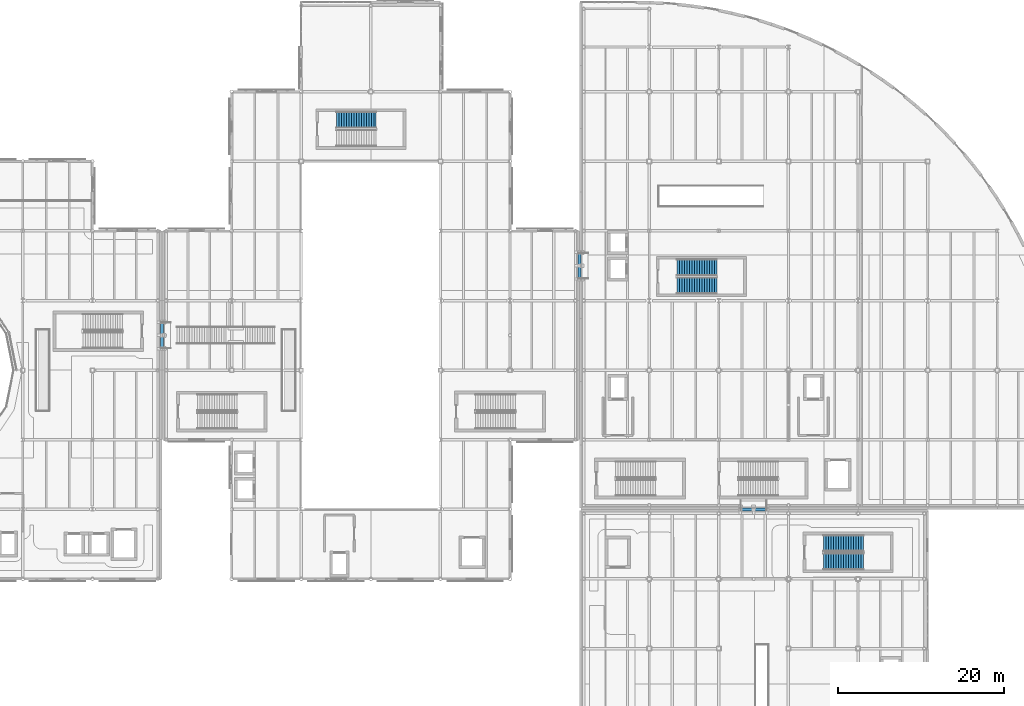
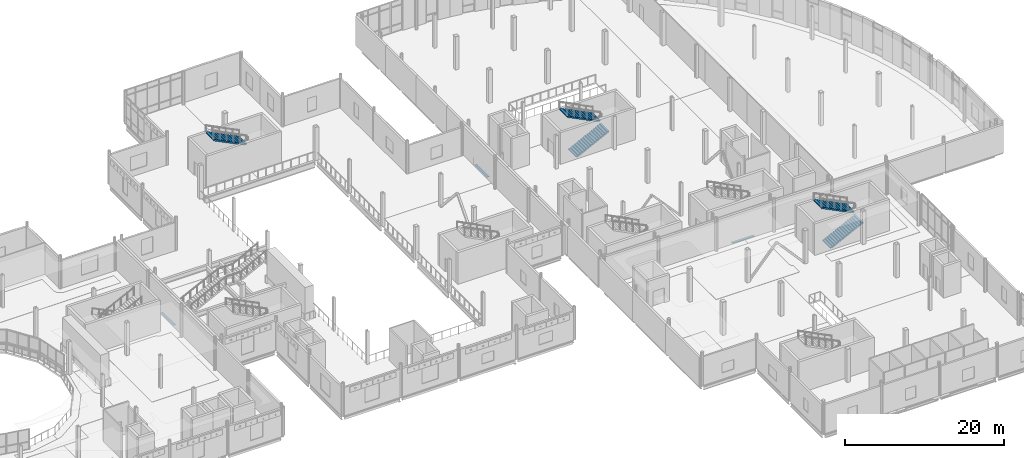
# One storey, part 75 of 104: 5 stair flights, 3 discrete accessories, 3 elements without a shape of their own.
"""IFC4 building model written with IfcOpenShell, lengths in metres."""

from ifc_helpers import new_model, si_unit, direction, frame, origin, origin_2d, place, context, subcontext, project, spatial, polyline, rectangle, outline, extrude, material, type_object, element, aggregate, save


model = new_model("IFC4")

# Units and contexts
model_context = context("Model", 3, precision=1e-05, world=origin(), true_north=direction((0.0, 1.0)))
body_context = subcontext(model_context, "Body", "Model", "MODEL_VIEW")
ifc_project = project(units=[si_unit("LENGTHUNIT", "METRE"), si_unit("AREAUNIT", "SQUARE_METRE"), si_unit("VOLUMEUNIT", "CUBIC_METRE"), si_unit("PLANEANGLEUNIT", "RADIAN"), si_unit("MASSUNIT", "GRAM", prefix="KILO"), si_unit("THERMODYNAMICTEMPERATUREUNIT", "KELVIN")], contexts=[model_context])

# Site, building, storey
site_placement = place(None, origin())
site = spatial("IfcSite", under=ifc_project, at=site_placement, CompositionType="ELEMENT")
building_placement = place(site_placement, origin())
building = spatial("IfcBuilding", under=site, at=building_placement, Name="Lustrewick Department Store", CompositionType="ELEMENT")
storey_placement = place(building_placement, frame((0.0, 0.0, 11.39990234375)))
storey = spatial("IfcBuildingStorey", under=building, at=storey_placement, Name="L03", CompositionType="ELEMENT", Elevation=11.39990234375)

# Stair, stair flight
ifc_material_1 = material(Name="Concrete C30", Category="concrete")
stair_type = type_object("IfcStairType", Name="ST-H51", PredefinedType="HALF_TURN_STAIR", material=ifc_material_1)
stair_1_placement = place(storey_placement, origin())
stair_1 = element("IfcStair", 1, at=stair_1_placement, inside=storey, type_object=stair_type, Name="L03 Smoke-Proof Exit Stair ST06", PredefinedType="HALF_TURN_STAIR")
stair_flight_type = type_object("IfcStairFlightType", Name="SF-H51", PredefinedType="STRAIGHT", material=ifc_material_1)
stair_flight_1_placement = place(storey_placement, frame((84.64990234375, 97.39990234375, 2.550048828125), z_axis=(0.0, 0.0, 1.0), x_axis=(-1.0, 0.0, 0.0)))
stair_flight_1 = element("IfcStairFlight", 2, at=stair_flight_1_placement, type_object=stair_flight_type, Name="ST-H51 flight 2", NumberOfRisers=17, NumberOfTreads=16, PredefinedType="STRAIGHT", RiserHeight=0.15, TreadLength=0.3, context=body_context, shape_type="SweptSolid", body=[
    extrude(outline(polyline([(0.0, 0.0), (0.0, 0.14990234375), (0.300048828125, 0.14990234375), (0.300048828125, 0.300048828125), (0.60009765625, 0.300048828125), (0.60009765625, 0.449951171875), (0.89990234375, 0.449951171875), (0.89990234375, 0.60009765625), (1.199951171875, 0.60009765625), (1.199951171875, 0.75), (1.5, 0.75), (1.5, 0.89990234375), (1.800048828125, 0.89990234375), (1.800048828125, 1.050048828125), (2.10009765625, 1.050048828125), (2.10009765625, 1.199951171875), (2.39990234375, 1.199951171875), (2.39990234375, 1.35009765625), (2.699951171875, 1.35009765625), (2.699951171875, 1.5), (3.0, 1.5), (3.0, 1.64990234375), (3.300048828125, 1.64990234375), (3.300048828125, 1.800048828125), (3.60009765625, 1.800048828125), (3.60009765625, 1.949951171875), (3.89990234375, 1.949951171875), (3.89990234375, 2.10009765625), (4.199951171875, 2.10009765625), (4.199951171875, 2.25), (4.5, 2.25), (4.5, 2.39990234375), (4.800048828125, 2.39990234375), (4.800048828125, 2.550048828125), (4.800048828125, 2.22119140625), (0.357666015625, 0.0), (0.0, 0.0)])), frame((0.0, 1.0, 0.0), z_axis=(0.0, -1.0, 0.0), x_axis=(1.0, 0.0, 0.0)), (0.0, 0.0, 1.0), 2.0),
])
aggregate(stair_1, [stair_flight_1])

# Stair, stair flights
stair_2_placement = place(storey_placement, origin())
stair_2 = element("IfcStair", 3, at=stair_2_placement, inside=storey, type_object=stair_type, Name="L03 Smoke-Proof Exit Stair ST08", PredefinedType="HALF_TURN_STAIR")
stair_flight_2_placement = place(storey_placement, frame((138.64990234375, 44.10009765625, 0.0), z_axis=(0.0, 0.0, 1.0), x_axis=(1.0, 0.0, 0.0)))
stair_flight_2 = element("IfcStairFlight", 4, at=stair_flight_2_placement, type_object=stair_flight_type, Name="ST-H51 flight 1", NumberOfRisers=17, NumberOfTreads=16, PredefinedType="STRAIGHT", RiserHeight=0.15, TreadLength=0.3, context=body_context, shape_type="SweptSolid", body=[
    extrude(outline(polyline([(0.0, 0.0), (0.0, 0.14990234375), (0.300048828125, 0.14990234375), (0.300048828125, 0.300048828125), (0.60009765625, 0.300048828125), (0.60009765625, 0.449951171875), (0.89990234375, 0.449951171875), (0.89990234375, 0.60009765625), (1.199951171875, 0.60009765625), (1.199951171875, 0.75), (1.5, 0.75), (1.5, 0.89990234375), (1.800048828125, 0.89990234375), (1.800048828125, 1.050048828125), (2.10009765625, 1.050048828125), (2.10009765625, 1.199951171875), (2.39990234375, 1.199951171875), (2.39990234375, 1.35009765625), (2.699951171875, 1.35009765625), (2.699951171875, 1.5), (3.0, 1.5), (3.0, 1.64990234375), (3.300048828125, 1.64990234375), (3.300048828125, 1.800048828125), (3.60009765625, 1.800048828125), (3.60009765625, 1.949951171875), (3.89990234375, 1.949951171875), (3.89990234375, 2.10009765625), (4.199951171875, 2.10009765625), (4.199951171875, 2.25), (4.5, 2.25), (4.5, 2.39990234375), (4.800048828125, 2.39990234375), (4.800048828125, 2.550048828125), (4.800048828125, 2.22119140625), (0.357666015625, 0.0), (0.0, 0.0)])), frame((0.0, 1.0, 0.0), z_axis=(0.0, -1.0, 0.0), x_axis=(1.0, 0.0, 0.0)), (0.0, 0.0, 1.0), 2.0),
])
stair_flight_3_placement = place(storey_placement, frame((143.449951171875, 46.300048828125, 2.550048828125), z_axis=(0.0, 0.0, 1.0), x_axis=(-1.0, 0.0, 0.0)))
stair_flight_3 = element("IfcStairFlight", 5, at=stair_flight_3_placement, type_object=stair_flight_type, Name="ST-H51 flight 2", NumberOfRisers=17, NumberOfTreads=16, PredefinedType="STRAIGHT", RiserHeight=0.15, TreadLength=0.3, context=body_context, shape_type="SweptSolid", body=[
    extrude(outline(polyline([(0.0, 0.0), (0.0, 0.14990234375), (0.300048828125, 0.14990234375), (0.300048828125, 0.300048828125), (0.60009765625, 0.300048828125), (0.60009765625, 0.449951171875), (0.89990234375, 0.449951171875), (0.89990234375, 0.60009765625), (1.199951171875, 0.60009765625), (1.199951171875, 0.75), (1.5, 0.75), (1.5, 0.89990234375), (1.800048828125, 0.89990234375), (1.800048828125, 1.050048828125), (2.10009765625, 1.050048828125), (2.10009765625, 1.199951171875), (2.39990234375, 1.199951171875), (2.39990234375, 1.35009765625), (2.699951171875, 1.35009765625), (2.699951171875, 1.5), (3.0, 1.5), (3.0, 1.64990234375), (3.300048828125, 1.64990234375), (3.300048828125, 1.800048828125), (3.60009765625, 1.800048828125), (3.60009765625, 1.949951171875), (3.89990234375, 1.949951171875), (3.89990234375, 2.10009765625), (4.199951171875, 2.10009765625), (4.199951171875, 2.25), (4.5, 2.25), (4.5, 2.39990234375), (4.800048828125, 2.39990234375), (4.800048828125, 2.550048828125), (4.800048828125, 2.22119140625), (0.357666015625, 0.0), (0.0, 0.0)])), frame((0.0, 1.0, 0.0), z_axis=(0.0, -1.0, 0.0), x_axis=(1.0, 0.0, 0.0)), (0.0, 0.0, 1.0), 2.0),
])
aggregate(stair_2, [stair_flight_2, stair_flight_3])

stair_3_placement = place(storey_placement, origin())
stair_3 = element("IfcStair", 6, at=stair_3_placement, inside=storey, type_object=stair_type, Name="L03 Smoke-Proof Exit Stair ST10", PredefinedType="HALF_TURN_STAIR")
stair_flight_4_placement = place(storey_placement, frame((120.949951171875, 77.39990234375, 0.0), z_axis=(0.0, 0.0, 1.0), x_axis=(1.0, 0.0, 0.0)))
stair_flight_4 = element("IfcStairFlight", 7, at=stair_flight_4_placement, type_object=stair_flight_type, Name="ST-H51 flight 1", NumberOfRisers=17, NumberOfTreads=16, PredefinedType="STRAIGHT", RiserHeight=0.15, TreadLength=0.3, context=body_context, shape_type="SweptSolid", body=[
    extrude(outline(polyline([(0.0, 0.0), (0.0, 0.14990234375), (0.300048828125, 0.14990234375), (0.300048828125, 0.300048828125), (0.60009765625, 0.300048828125), (0.60009765625, 0.449951171875), (0.89990234375, 0.449951171875), (0.89990234375, 0.60009765625), (1.199951171875, 0.60009765625), (1.199951171875, 0.75), (1.5, 0.75), (1.5, 0.89990234375), (1.800048828125, 0.89990234375), (1.800048828125, 1.050048828125), (2.10009765625, 1.050048828125), (2.10009765625, 1.199951171875), (2.39990234375, 1.199951171875), (2.39990234375, 1.35009765625), (2.699951171875, 1.35009765625), (2.699951171875, 1.5), (3.0, 1.5), (3.0, 1.64990234375), (3.300048828125, 1.64990234375), (3.300048828125, 1.800048828125), (3.60009765625, 1.800048828125), (3.60009765625, 1.949951171875), (3.89990234375, 1.949951171875), (3.89990234375, 2.10009765625), (4.199951171875, 2.10009765625), (4.199951171875, 2.25), (4.5, 2.25), (4.5, 2.39990234375), (4.800048828125, 2.39990234375), (4.800048828125, 2.550048828125), (4.800048828125, 2.22119140625), (0.357666015625, 0.0), (0.0, 0.0)])), frame((0.0, 1.0, 0.0), z_axis=(0.0, -1.0, 0.0), x_axis=(1.0, 0.0, 0.0)), (0.0, 0.0, 1.0), 2.0),
])
stair_flight_5_placement = place(storey_placement, frame((125.75, 79.60009765625, 2.550048828125), z_axis=(0.0, 0.0, 1.0), x_axis=(-1.0, 0.0, 0.0)))
stair_flight_5 = element("IfcStairFlight", 8, at=stair_flight_5_placement, type_object=stair_flight_type, Name="ST-H51 flight 2", NumberOfRisers=17, NumberOfTreads=16, PredefinedType="STRAIGHT", RiserHeight=0.15, TreadLength=0.3, context=body_context, shape_type="SweptSolid", body=[
    extrude(outline(polyline([(0.0, 0.0), (0.0, 0.14990234375), (0.300048828125, 0.14990234375), (0.300048828125, 0.300048828125), (0.60009765625, 0.300048828125), (0.60009765625, 0.449951171875), (0.89990234375, 0.449951171875), (0.89990234375, 0.60009765625), (1.199951171875, 0.60009765625), (1.199951171875, 0.75), (1.5, 0.75), (1.5, 0.89990234375), (1.800048828125, 0.89990234375), (1.800048828125, 1.050048828125), (2.10009765625, 1.050048828125), (2.10009765625, 1.199951171875), (2.39990234375, 1.199951171875), (2.39990234375, 1.35009765625), (2.699951171875, 1.35009765625), (2.699951171875, 1.5), (3.0, 1.5), (3.0, 1.64990234375), (3.300048828125, 1.64990234375), (3.300048828125, 1.800048828125), (3.60009765625, 1.800048828125), (3.60009765625, 1.949951171875), (3.89990234375, 1.949951171875), (3.89990234375, 2.10009765625), (4.199951171875, 2.10009765625), (4.199951171875, 2.25), (4.5, 2.25), (4.5, 2.39990234375), (4.800048828125, 2.39990234375), (4.800048828125, 2.550048828125), (4.800048828125, 2.22119140625), (0.357666015625, 0.0), (0.0, 0.0)])), frame((0.0, 1.0, 0.0), z_axis=(0.0, -1.0, 0.0), x_axis=(1.0, 0.0, 0.0)), (0.0, 0.0, 1.0), 2.0),
])
aggregate(stair_3, [stair_flight_4, stair_flight_5])

# Discrete accessories
ifc_material_2 = material(Name="Structural steel Q355C", Category="steel")
discrete_accessory_type = type_object("IfcDiscreteAccessoryType", Name="SJC-01", PredefinedType="USERDEFINED", material=ifc_material_2)
for number, where, z_axis, x_axis, name in (
    (9, (58.800048828125, 71.39990234375, -0.02392578125), (0.0, 0.0, 1.0), (1.0, 0.0, 0.0), "L03 Skybridge SB12 Flush Seismic Joint Cover Plate"),
    (10, (109.199951171875, 79.800048828125, -0.02392578125), (0.0, 0.0, 1.0), (1.0, 0.0, 0.0), "L03 Skybridge SB24 Flush Seismic Joint Cover Plate"),
):
    element("IfcDiscreteAccessory", number, at=place(storey_placement, frame(where, z_axis=z_axis, x_axis=x_axis)), inside=storey, type_object=discrete_accessory_type, Name=name, ObjectType="SEISMIC_JOINT_COVER", PredefinedType="USERDEFINED", context=body_context, shape_type="SweptSolid", body=[
        extrude(rectangle(XDim=0.360107421875, YDim=3.199951171875, at=origin_2d()), origin(), (0.0, 0.0, 1.0), 0.02392578125),
    ])
discrete_accessory_placement = place(storey_placement, frame((130.199951171875, 50.39990234375, -0.02392578125), z_axis=(0.0, 0.0, 1.0), x_axis=(1.0, 0.0, 0.0)))
element("IfcDiscreteAccessory", 11, at=discrete_accessory_placement, inside=storey, type_object=discrete_accessory_type, Name="L03 Skybridge SB34 Flush Seismic Joint Cover Plate", ObjectType="SEISMIC_JOINT_COVER", PredefinedType="USERDEFINED", context=body_context, shape_type="SweptSolid", body=[
    extrude(rectangle(XDim=3.199951171875, YDim=0.360107421875, at=origin_2d()), origin(), (0.0, 0.0, 1.0), 0.02392578125),
])

save(model, "model.ifc")
